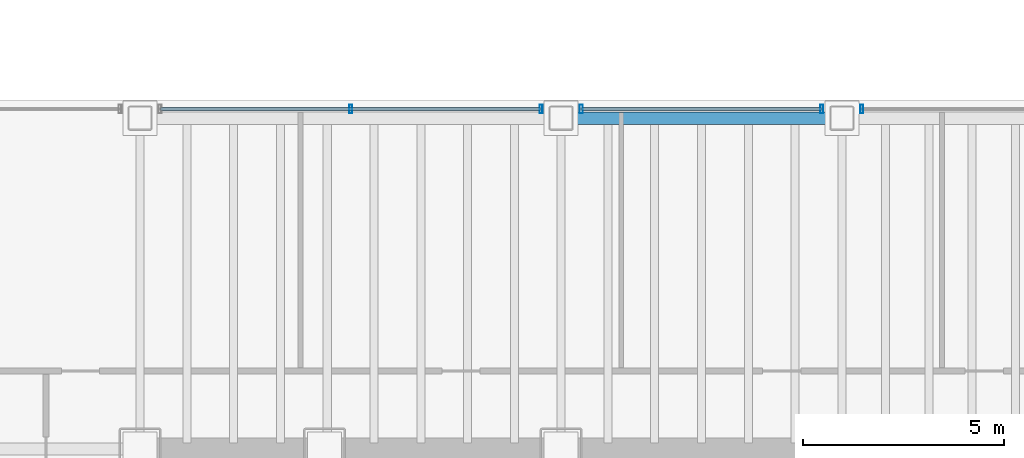
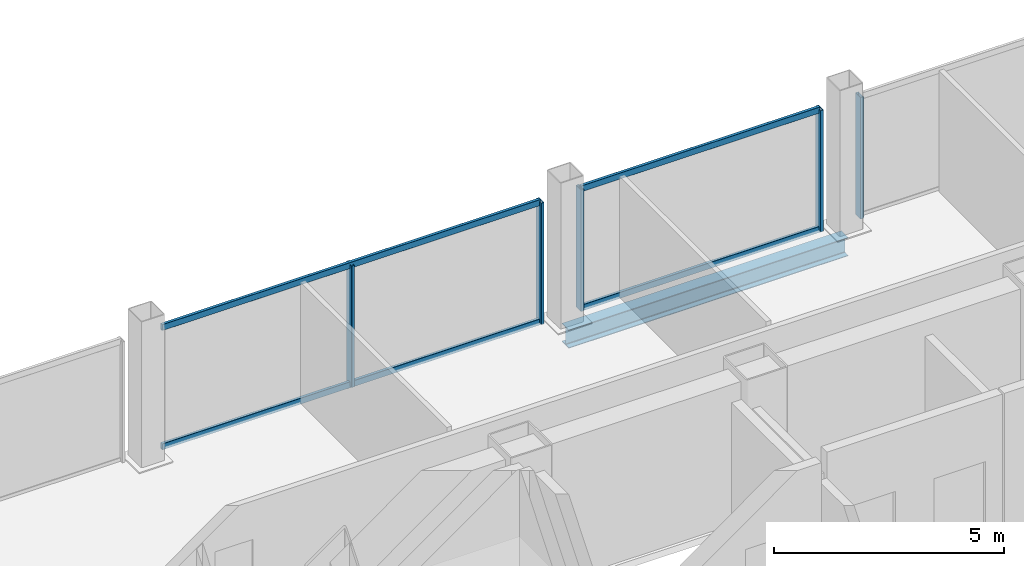
# One storey, part 18 of 30: 9 members, 1 beam, 3 elements without a shape of their own.
"""IFC4 building model written with IfcOpenShell, lengths in metres."""

from ifc_helpers import new_model, si_unit, direction, frame, origin, origin_2d, place, context, subcontext, project, spatial, hollow_rectangle, i_section, extrude, material, material_profile, profile_set, type_object, element, aggregate, save


model = new_model("IFC4")

# Units and contexts
model_context = context("Model", 3, precision=1e-05, world=origin(), true_north=direction((0.0, 1.0)))
body_context = subcontext(model_context, "Body", "Model", "MODEL_VIEW")
ifc_project = project(units=[si_unit("LENGTHUNIT", "METRE"), si_unit("AREAUNIT", "SQUARE_METRE"), si_unit("VOLUMEUNIT", "CUBIC_METRE"), si_unit("PLANEANGLEUNIT", "RADIAN"), si_unit("MASSUNIT", "GRAM", prefix="KILO")], contexts=[model_context])

# Site, building, storey
site_placement = place(None, origin())
site = spatial("IfcSite", under=ifc_project, at=site_placement, CompositionType="ELEMENT")
building_placement = place(site_placement, origin())
building = spatial("IfcBuilding", under=site, at=building_placement, Name="Noeulbin Bourse Tower", CompositionType="ELEMENT")
storey_placement = place(building_placement, frame((0.0, 0.0, 26.5)))
storey = spatial("IfcBuildingStorey", under=building, at=storey_placement, Name="L06", CompositionType="ELEMENT", Elevation=26.5)

# Beam
ifc_material_1 = material(Name="Steel S355", Category="steel")
ifc_material_profile_1 = material_profile(ifc_material_1, i_section(OverallWidth=0.300048828125, OverallDepth=0.488037109375, WebThickness=0.010986328125, FlangeThickness=0.01806640625, FilletRadius=0.02197265625, at=origin_2d()), Name="H-488x300x11x18", Category="LoadBearing")
ifc_profile_set_1 = profile_set([ifc_material_profile_1], Name="Steel S355")
beam_type = type_object("IfcBeamType", Name="BM-SPN-488", PredefinedType="SPANDREL", material=ifc_profile_set_1)
beam_placement = place(storey_placement, frame((24.0, 46.550048828125, -0.424072265625), z_axis=(1.0, 0.0, 0.0), x_axis=(0.0, 1.0, 0.0)))
element("IfcBeam", 1, at=beam_placement, inside=storey, type_object=beam_type, Name="North Spandrel L06-2", PredefinedType="SPANDREL", context=body_context, shape_type="SweptSolid", body=[
    extrude(i_section(OverallWidth=0.300048828125, OverallDepth=0.488037109375, WebThickness=0.010986328125, FlangeThickness=0.01806640625, FilletRadius=0.02197265625, at=origin_2d()), origin(), (0.0, 0.0, 1.0), 7.0),
])

# Curtain wall, members
ifc_material_2 = material(Name="Dark Solar-Control Double Glazing", Category="glass")
curtain_wall_type = type_object("IfcCurtainWallType", Name="CW-SYS-2", PredefinedType="NOTDEFINED", material=ifc_material_2)
curtain_wall_1_placement = place(storey_placement, origin())
curtain_wall_1 = element("IfcCurtainWall", 2, at=curtain_wall_1_placement, inside=storey, type_object=curtain_wall_type, Name="Unitised Curtain Wall CW-L06-N-S2", PredefinedType="NOTDEFINED")
ifc_material_3 = material(Name="Anodised Aluminium 6063-T6", Category="aluminium")
ifc_material_profile_2 = material_profile(ifc_material_3, hollow_rectangle(XDim=0.074951171875, YDim=0.219970703125, WallThickness=0.0048828125, InnerFilletRadius=0.00244140625, OuterFilletRadius=0.0048828125, at=origin_2d()), Name="ALU-MULL-75x220x5", Category="LoadBearing")
ifc_profile_set_2 = profile_set([ifc_material_profile_2], Name="Anodised Aluminium 6063-T6")
member_type_1 = type_object("IfcMemberType", Name="CW-SYS-2-MUL", PredefinedType="MULLION", material=ifc_profile_set_2)
member_1_placement = place(storey_placement, frame((18.75, 46.780029296875, -0.02001953125), z_axis=(0.0, 0.0, 1.0), x_axis=(1.0, 0.0, 0.0)))
member_1 = element("IfcMember", 3, at=member_1_placement, type_object=member_type_1, Name="Curtain Wall Mullion CW-L06-N-S2-M01", PredefinedType="MULLION", context=body_context, shape_type="SweptSolid", body=[
    extrude(hollow_rectangle(XDim=0.074951171875, YDim=0.219970703125, WallThickness=0.0048828125, InnerFilletRadius=0.00244140625, OuterFilletRadius=0.0048828125, at=origin_2d()), origin(), (0.0, 0.0, 1.0), 3.219970703125),
])
member_2_placement = place(storey_placement, frame((23.5, 46.780029296875, -0.02001953125), z_axis=(0.0, 0.0, 1.0), x_axis=(1.0, 0.0, 0.0)))
member_2 = element("IfcMember", 4, at=member_2_placement, type_object=member_type_1, Name="Curtain Wall Mullion CW-L06-N-S2-M02", PredefinedType="MULLION", context=body_context, shape_type="SweptSolid", body=[
    extrude(hollow_rectangle(XDim=0.074951171875, YDim=0.219970703125, WallThickness=0.0048828125, InnerFilletRadius=0.00244140625, OuterFilletRadius=0.0048828125, at=origin_2d()), origin(), (0.0, 0.0, 1.0), 3.219970703125),
])

curtain_wall_2_placement = place(storey_placement, origin())
curtain_wall_2 = element("IfcCurtainWall", 5, at=curtain_wall_2_placement, inside=storey, type_object=curtain_wall_type, Name="Unitised Curtain Wall CW-L06-N-S3", PredefinedType="NOTDEFINED")
member_3_placement = place(storey_placement, frame((24.5, 46.780029296875, -0.02001953125), z_axis=(0.0, 0.0, 1.0), x_axis=(1.0, 0.0, 0.0)))
member_3 = element("IfcMember", 6, at=member_3_placement, type_object=member_type_1, Name="Curtain Wall Mullion CW-L06-N-S3-M00", PredefinedType="MULLION", context=body_context, shape_type="SweptSolid", body=[
    extrude(hollow_rectangle(XDim=0.074951171875, YDim=0.219970703125, WallThickness=0.0048828125, InnerFilletRadius=0.00244140625, OuterFilletRadius=0.0048828125, at=origin_2d()), origin(), (0.0, 0.0, 1.0), 3.219970703125),
])
member_4_placement = place(storey_placement, frame((30.5, 46.780029296875, -0.02001953125), z_axis=(0.0, 0.0, 1.0), x_axis=(1.0, 0.0, 0.0)))
member_4 = element("IfcMember", 7, at=member_4_placement, type_object=member_type_1, Name="Curtain Wall Mullion CW-L06-N-S3-M01", PredefinedType="MULLION", context=body_context, shape_type="SweptSolid", body=[
    extrude(hollow_rectangle(XDim=0.074951171875, YDim=0.219970703125, WallThickness=0.0048828125, InnerFilletRadius=0.00244140625, OuterFilletRadius=0.0048828125, at=origin_2d()), origin(), (0.0, 0.0, 1.0), 3.219970703125),
])

# Curtain wall, member
curtain_wall_3_placement = place(storey_placement, origin())
curtain_wall_3 = element("IfcCurtainWall", 8, at=curtain_wall_3_placement, inside=storey, type_object=curtain_wall_type, Name="Unitised Curtain Wall CW-L06-N-S4", PredefinedType="NOTDEFINED")
member_5_placement = place(storey_placement, frame((31.5, 46.780029296875, -0.02001953125), z_axis=(0.0, 0.0, 1.0), x_axis=(1.0, 0.0, 0.0)))
member_5 = element("IfcMember", 9, at=member_5_placement, type_object=member_type_1, Name="Curtain Wall Mullion CW-L06-N-S4-M00", PredefinedType="MULLION", context=body_context, shape_type="SweptSolid", body=[
    extrude(hollow_rectangle(XDim=0.074951171875, YDim=0.219970703125, WallThickness=0.0048828125, InnerFilletRadius=0.00244140625, OuterFilletRadius=0.0048828125, at=origin_2d()), origin(), (0.0, 0.0, 1.0), 3.219970703125),
])
aggregate(curtain_wall_3, [member_5])

# Member
ifc_material_profile_3 = material_profile(ifc_material_3, hollow_rectangle(XDim=0.074951171875, YDim=0.159912109375, WallThickness=0.0048828125, InnerFilletRadius=0.00244140625, OuterFilletRadius=0.0048828125, at=origin_2d()), Name="ALU-TRAN-75x160x5", Category="LoadBearing")
ifc_profile_set_3 = profile_set([ifc_material_profile_3], Name="Anodised Aluminium 6063-T6")
member_type_2 = type_object("IfcMemberType", Name="CW-SYS-2-TRN", PredefinedType="USERDEFINED", material=ifc_profile_set_3)
member_6_placement = place(storey_placement, frame((14.010009765625, 46.780029296875, 0.010009765625), z_axis=(1.0, 0.0, 0.0), x_axis=(0.0, 1.0, 0.0)))
member_6 = element("IfcMember", 10, at=member_6_placement, type_object=member_type_2, Name="Curtain Wall Transom CW-L06-N-S2-T00", ObjectType="TRANSOM", PredefinedType="USERDEFINED", context=body_context, shape_type="SweptSolid", body=[
    extrude(hollow_rectangle(XDim=0.074951171875, YDim=0.159912109375, WallThickness=0.0048828125, InnerFilletRadius=0.00244140625, OuterFilletRadius=0.0048828125, at=origin_2d()), origin(), (0.0, 0.0, 1.0), 9.47998046875),
])

member_7_placement = place(storey_placement, frame((14.010009765625, 46.780029296875, 3.169921875), z_axis=(1.0, 0.0, 0.0), x_axis=(0.0, 1.0, 0.0)))
member_7 = element("IfcMember", 11, at=member_7_placement, type_object=member_type_2, Name="Curtain Wall Transom CW-L06-N-S2-T01", ObjectType="TRANSOM", PredefinedType="USERDEFINED", context=body_context, shape_type="SweptSolid", body=[
    extrude(hollow_rectangle(XDim=0.074951171875, YDim=0.159912109375, WallThickness=0.0048828125, InnerFilletRadius=0.00244140625, OuterFilletRadius=0.0048828125, at=origin_2d()), origin(), (0.0, 0.0, 1.0), 9.47998046875),
])

aggregate(curtain_wall_1, [member_1, member_2, member_6, member_7])

member_8_placement = place(storey_placement, frame((24.510009765625, 46.780029296875, 0.010009765625), z_axis=(1.0, 0.0, 0.0), x_axis=(0.0, 1.0, 0.0)))
member_8 = element("IfcMember", 12, at=member_8_placement, type_object=member_type_2, Name="Curtain Wall Transom CW-L06-N-S3-T00", ObjectType="TRANSOM", PredefinedType="USERDEFINED", context=body_context, shape_type="SweptSolid", body=[
    extrude(hollow_rectangle(XDim=0.074951171875, YDim=0.159912109375, WallThickness=0.0048828125, InnerFilletRadius=0.00244140625, OuterFilletRadius=0.0048828125, at=origin_2d()), origin(), (0.0, 0.0, 1.0), 5.97998046875),
])

member_9_placement = place(storey_placement, frame((24.510009765625, 46.780029296875, 3.169921875), z_axis=(1.0, 0.0, 0.0), x_axis=(0.0, 1.0, 0.0)))
member_9 = element("IfcMember", 13, at=member_9_placement, type_object=member_type_2, Name="Curtain Wall Transom CW-L06-N-S3-T01", ObjectType="TRANSOM", PredefinedType="USERDEFINED", context=body_context, shape_type="SweptSolid", body=[
    extrude(hollow_rectangle(XDim=0.074951171875, YDim=0.159912109375, WallThickness=0.0048828125, InnerFilletRadius=0.00244140625, OuterFilletRadius=0.0048828125, at=origin_2d()), origin(), (0.0, 0.0, 1.0), 5.97998046875),
])

aggregate(curtain_wall_2, [member_3, member_4, member_8, member_9])

save(model, "model.ifc")
